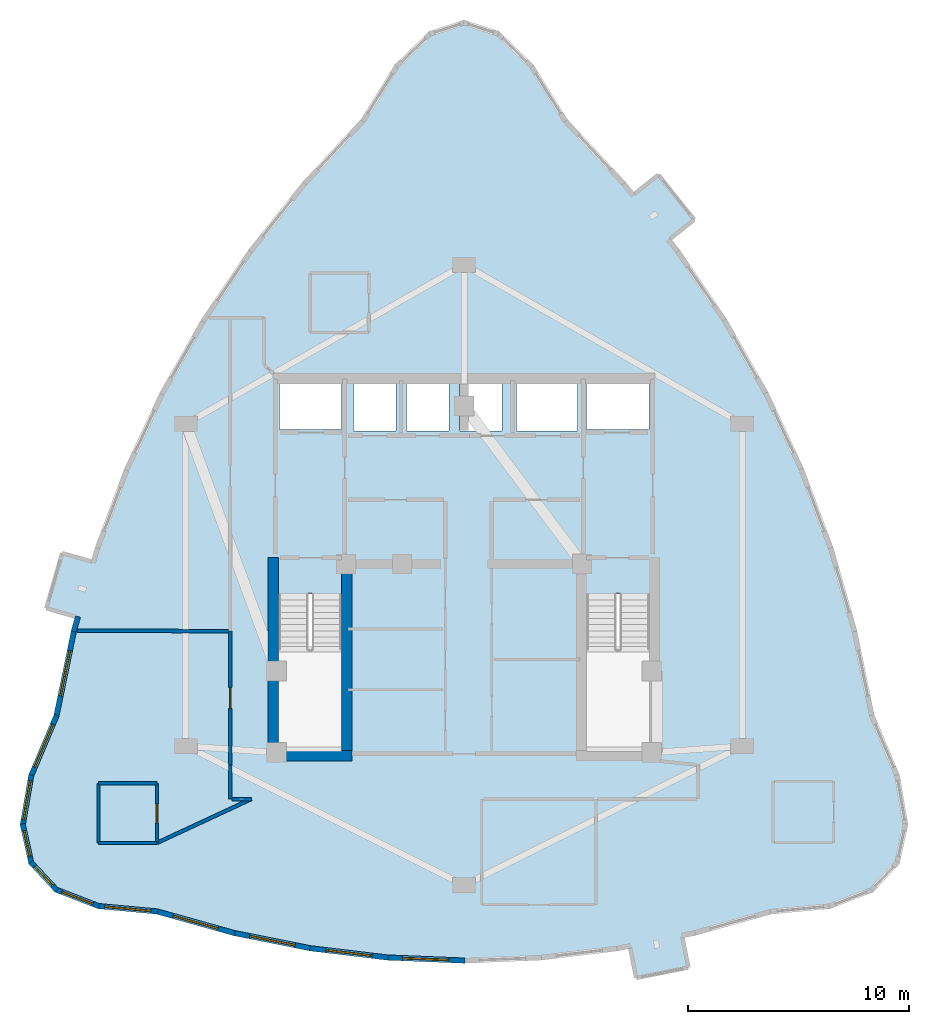
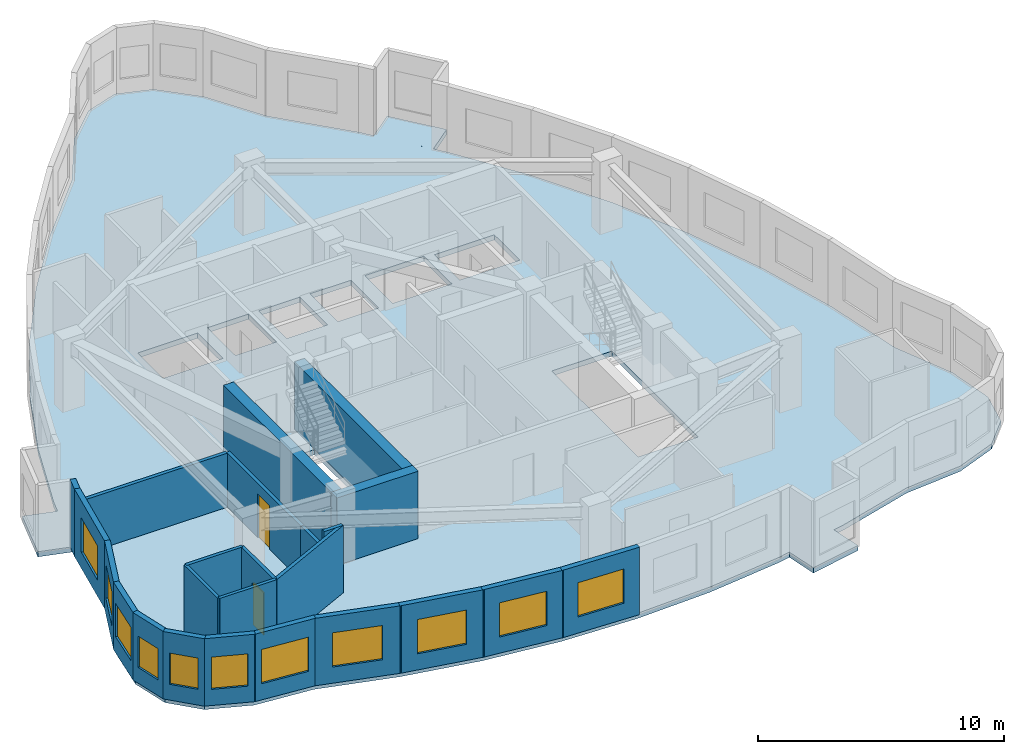
# One storey, part 4 of 9: 24 walls, 11 windows, 2 doors, 1 slab, 13 openings.
"""IFC4 building model written with IfcOpenShell, lengths in metres."""

from ifc_helpers import new_model, si_unit, direction, frame, frame_2d, origin, place, context, subcontext, project, spatial, polyline, rectangle, outline, extrude, material, layer, layer_set, type_object, element, fill, save


model = new_model("IFC4")

# Units and contexts
model_context = context("Model", 3, precision=1e-05, world=origin(), true_north=direction((0.0, 1.0)))
body_context = subcontext(model_context, "Body", "Model", "MODEL_VIEW")
ifc_project = project(units=[si_unit("LENGTHUNIT", "METRE"), si_unit("AREAUNIT", "SQUARE_METRE"), si_unit("VOLUMEUNIT", "CUBIC_METRE"), si_unit("PLANEANGLEUNIT", "RADIAN"), si_unit("MASSUNIT", "GRAM", prefix="KILO")], contexts=[model_context])

# Site, building, storey
site_placement = place(None, origin())
site = spatial("IfcSite", under=ifc_project, at=site_placement, CompositionType="ELEMENT")
building_placement = place(site_placement, origin())
building = spatial("IfcBuilding", under=site, at=building_placement, Name="Miruveldt Soraemaru", CompositionType="ELEMENT")
storey_placement = place(building_placement, frame((0.0, 0.0, 223.199951171875)))
storey = spatial("IfcBuildingStorey", under=building, at=storey_placement, Name="L61", CompositionType="ELEMENT", Elevation=223.199951171875)

# Slab
ifc_material_1 = material(Name="Concrete C40/50 (40 MPa)", Category="concrete")
ifc_layer_1 = layer(ifc_material_1, 0.2548828125, Name="Concrete C40/50 (40 MPa)", Category="concrete")
ifc_layer_set_1 = layer_set([ifc_layer_1], Name="Concrete C40/50 (40 MPa)")
slab_type = type_object("IfcSlabType", Name="SLAB-RES3-255", PredefinedType="FLOOR", material=ifc_layer_set_1)
slab_placement = place(storey_placement, frame((0.0, 0.0, -0.2548828125)))
element("IfcSlab", 1, at=slab_placement, inside=storey, type_object=slab_type, Name="L61 Structural Floor Slab", PredefinedType="FLOOR", context=body_context, shape_type="SweptSolid", body=[
    extrude(outline(polyline([(51.796142578125, 25.2958984375), (51.505859375, 26.747314453125), (50.949951171875, 26.635986328125), (47.47509765625, 26.218994140625), (44.0, 26.080078125), (40.52490234375, 26.218994140625), (37.050048828125, 26.635986328125), (33.574951171875, 27.3310546875), (30.099853515625, 28.303955078125), (27.435302734375, 28.55029296875), (25.53173828125, 29.28857421875), (24.389892578125, 30.519287109375), (24.009033203125, 32.242431640625), (24.389892578125, 34.4580078125), (25.53173828125, 37.16552734375), (26.32568359375, 41.022705078125), (26.857421875, 42.881591796875), (26.499755859375, 41.6318359375), (25.076904296875, 42.038818359375), (25.7919921875, 44.53857421875), (27.21484375, 44.131591796875), (27.388916015625, 44.74072265625), (28.721923828125, 48.31982421875), (30.32470703125, 51.760009765625), (32.197021484375, 55.06103515625), (34.339111328125, 58.22314453125), (36.75048828125, 61.246337890625), (39.431884765625, 64.13037109375), (40.95458984375, 66.591796875), (42.477294921875, 68.06884765625), (44.0, 68.561279296875), (45.522705078125, 68.06884765625), (47.04541015625, 66.591796875), (48.568115234375, 64.13037109375), (51.24951171875, 61.246337890625), (51.64453125, 60.7509765625), (52.801513671875, 61.673828125), (54.4228515625, 59.641357421875), (53.265869140625, 58.718505859375), (52.455078125, 59.734619140625), (53.660888671875, 58.22314453125), (55.802978515625, 55.06103515625), (57.67529296875, 51.760009765625), (59.278076171875, 48.31982421875), (60.611083984375, 44.74072265625), (61.67431640625, 41.022705078125), (62.46826171875, 37.16552734375), (63.610107421875, 34.4580078125), (63.990966796875, 32.242431640625), (63.610107421875, 30.519287109375), (62.46826171875, 29.28857421875), (60.564697265625, 28.55029296875), (57.900146484375, 28.303955078125), (54.425048828125, 27.3310546875), (52.6875, 26.9833984375), (53.869140625, 27.2197265625), (54.159423828125, 25.7685546875), (51.796142578125, 25.2958984375)]), holes=[polyline([(35.614990234375, 35.6650390625), (38.43505859375, 35.6650390625), (38.43505859375, 42.68505859375), (35.614990234375, 42.68505859375), (35.614990234375, 35.6650390625)]), polyline([(49.56494140625, 35.6650390625), (52.385009765625, 35.6650390625), (52.385009765625, 42.68505859375), (49.56494140625, 42.68505859375), (49.56494140625, 35.6650390625)]), polyline([(38.445068359375, 50.135009765625), (38.445068359375, 52.205078125), (35.635009765625, 52.205078125), (35.635009765625, 50.135009765625), (38.445068359375, 50.135009765625)]), polyline([(52.364990234375, 50.135009765625), (52.364990234375, 52.205078125), (49.554931640625, 52.205078125), (49.554931640625, 50.135009765625), (52.364990234375, 50.135009765625)]), polyline([(40.9150390625, 50.06494140625), (40.9150390625, 52.3349609375), (38.985107421875, 52.3349609375), (38.985107421875, 50.06494140625), (40.9150390625, 50.06494140625)]), polyline([(43.31494140625, 50.06494140625), (43.31494140625, 52.3349609375), (41.385009765625, 52.3349609375), (41.385009765625, 50.06494140625), (43.31494140625, 50.06494140625)]), polyline([(45.715087890625, 50.06494140625), (45.715087890625, 52.3349609375), (43.784912109375, 52.3349609375), (43.784912109375, 50.06494140625), (45.715087890625, 50.06494140625)]), polyline([(49.135009765625, 50.06494140625), (49.135009765625, 52.3349609375), (46.364990234375, 52.3349609375), (46.364990234375, 50.06494140625), (49.135009765625, 50.06494140625)])]), origin(), (0.0, 0.0, 1.0), 0.2548828125),
])

# Walls
ifc_material_2 = material(Name="Concrete C60/75 (60 MPa)", Category="concrete")
ifc_layer_2 = layer(ifc_material_2, 0.47998046875, Name="Concrete C60/75 (60 MPa)", Category="concrete")
ifc_layer_set_2 = layer_set([ifc_layer_2], Name="Concrete C60/75 (60 MPa)")
wall_type_1 = type_object("IfcWallType", Name="WALL-CW-480", PredefinedType="SHEAR", material=ifc_layer_set_2)
wall_1_placement = place(storey_placement, frame((35.1201171875, 35.360107421875, 0.0), z_axis=(0.0, 0.0, 1.0), x_axis=(1.0, 0.0, 0.0)))
element("IfcWall", 2, at=wall_1_placement, inside=storey, type_object=wall_type_1, Name="L61 Central Core Shear Wall S1", PredefinedType="SHEAR", context=body_context, shape_type="SweptSolid", body=[
    extrude(rectangle(XDim=3.809814453125, YDim=0.47998046875, at=frame_2d((1.90478515625, 0.0))), origin(), (0.0, 0.0, 1.0), 3.344970703125),
])
wall_2_placement = place(storey_placement, frame((35.360107421875, 35.1201171875, 0.0), z_axis=(0.0, 0.0, 1.0), x_axis=(0.0, 1.0, 0.0)))
element("IfcWall", 3, at=wall_2_placement, inside=storey, type_object=wall_type_1, Name="L61 Central Core Shear Wall W1", PredefinedType="SHEAR", context=body_context, shape_type="SweptSolid", body=[
    extrude(rectangle(XDim=9.22998046875, YDim=0.47998046875, at=frame_2d((4.614990234375, 0.0))), origin(), (0.0, 0.0, 1.0), 3.344970703125),
])
wall_3_placement = place(storey_placement, frame((38.68994140625, 35.39990234375, 0.0), z_axis=(0.0, 0.0, 1.0), x_axis=(0.0, 1.0, 0.0)))
element("IfcWall", 4, at=wall_3_placement, inside=storey, type_object=wall_type_1, Name="L61 Central Core Shear Wall SW-INT", PredefinedType="SHEAR", context=body_context, shape_type="SweptSolid", body=[
    extrude(rectangle(XDim=8.9501953125, YDim=0.47998046875, at=frame_2d((4.47509765625, 0.0))), origin(), (0.0, 0.0, 1.0), 3.344970703125),
])
ifc_material_3 = material(Name="Precast concrete C45/55 (45 MPa)", Category="concrete")
ifc_layer_3 = layer(ifc_material_3, 0.239990234375, Name="Precast concrete C45/55 (45 MPa)", Category="concrete")
ifc_layer_set_3 = layer_set([ifc_layer_3], Name="Precast concrete C45/55 (45 MPa)")
wall_type_2 = type_object("IfcWallType", Name="WALL-EXT-PC240", PredefinedType="SOLIDWALL", material=ifc_layer_set_3)
wall_4_placement = place(storey_placement, frame((26.508056640625, 41.66064453125, 0.0), z_axis=(0.0, 0.0, 1.0), x_axis=(-0.275044220603, -0.961431576719, 0.0)))
element("IfcWall", 5, at=wall_4_placement, inside=storey, type_object=wall_type_2, Name="L61 Precast Pier Wall 13B", PredefinedType="SOLIDWALL", context=body_context, shape_type="SweptSolid", body=[
    extrude(rectangle(XDim=0.698486328125, YDim=0.239990234375, at=frame_2d((0.34912109375, 0.0))), origin(), (0.0, 0.0, 1.0), 3.344970703125),
])

# Wall, opening, window
wall_5_placement = place(storey_placement, frame((26.332763671875, 41.056884765625, 0.0), z_axis=(0.0, 0.0, 1.0), x_axis=(-0.201630576479, -0.979461643266, 0.0)))
wall_5 = element("IfcWall", 6, at=wall_5_placement, inside=storey, type_object=wall_type_2, Name="L61 Precast Concrete Facade Wall 14", PredefinedType="SOLIDWALL", context=body_context, shape_type="SweptSolid", body=[
    extrude(rectangle(XDim=4.0078125, YDim=0.239990234375, at=frame_2d((2.00390625, 0.0))), origin(), (0.0, 0.0, 1.0), 3.344970703125),
])
opening_1_placement = place(wall_5_placement, frame((0.9541015625, 0.0, 0.800048828125)))
opening_1 = element("IfcOpeningElement", 7, at=opening_1_placement, cuts=wall_5, Name="Opening WN-1", PredefinedType="OPENING", context=body_context, shape_type="SweptSolid", body=[
    extrude(rectangle(XDim=2.10009765625, YDim=1.699951171875, at=frame_2d((1.050048828125, 0.85009765625))), frame((0.0, 0.1298828125, 0.0), z_axis=(0.0, -1.0, 0.0), x_axis=(1.0, 0.0, 0.0)), (0.0, 0.0, 1.0), 0.260009765625),
])
ifc_material_4 = material(Name="Triple low-e insulated glazing", Category="glass")
window_type_1 = type_object("IfcWindowType", Name="WIN-PUNCH-2100x1700", PartitioningType="SINGLE_PANEL", PredefinedType="WINDOW", material=ifc_material_4)
window_1_placement = place(opening_1_placement, origin())
window_1 = element("IfcWindow", 8, at=window_1_placement, inside=storey, type_object=window_type_1, Name="L61 Punched Triple-Glazed Window 14.1", OverallHeight=1.699951171875, OverallWidth=2.10009765625, PartitioningType="SINGLE_PANEL", PredefinedType="WINDOW", context=body_context, shape_type="SweptSolid", body=[
    extrude(rectangle(XDim=2.10009765625, YDim=1.699951171875, at=frame_2d((1.050048828125, 0.85009765625))), frame((0.0, 0.030029296875, 0.0), z_axis=(0.0, -1.0, 0.0), x_axis=(1.0, 0.0, 0.0)), (0.0, 0.0, 1.0), 0.06005859375),
])
fill(opening_1, window_1)

wall_6_placement = place(storey_placement, frame((25.54541015625, 37.19775390625, 0.0), z_axis=(0.0, 0.0, 1.0), x_axis=(-0.388633766868, -0.921392313431, 0.0)))
wall_6 = element("IfcWall", 9, at=wall_6_placement, inside=storey, type_object=wall_type_2, Name="L61 Precast Concrete Facade Wall 15", PredefinedType="SOLIDWALL", context=body_context, shape_type="SweptSolid", body=[
    extrude(rectangle(XDim=3.008544921875, YDim=0.239990234375, at=frame_2d((1.50439453125, 0.0))), origin(), (0.0, 0.0, 1.0), 3.344970703125),
])
opening_2_placement = place(wall_6_placement, frame((0.455078125, 0.0, 0.800048828125)))
opening_2 = element("IfcOpeningElement", 10, at=opening_2_placement, cuts=wall_6, Name="Opening WN-1", PredefinedType="OPENING", context=body_context, shape_type="SweptSolid", body=[
    extrude(rectangle(XDim=2.10009765625, YDim=1.699951171875, at=frame_2d((1.050048828125, 0.85009765625))), frame((0.0, 0.1298828125, 0.0), z_axis=(0.0, -1.0, 0.0), x_axis=(1.0, 0.0, 0.0)), (0.0, 0.0, 1.0), 0.260009765625),
])
window_2_placement = place(opening_2_placement, origin())
window_2 = element("IfcWindow", 11, at=window_2_placement, inside=storey, type_object=window_type_1, Name="L61 Punched Triple-Glazed Window 15.1", OverallHeight=1.699951171875, OverallWidth=2.10009765625, PartitioningType="SINGLE_PANEL", PredefinedType="WINDOW", context=body_context, shape_type="SweptSolid", body=[
    extrude(rectangle(XDim=2.10009765625, YDim=1.699951171875, at=frame_2d((1.050048828125, 0.85009765625))), frame((0.0, 0.030029296875, 0.0), z_axis=(0.0, -1.0, 0.0), x_axis=(1.0, 0.0, 0.0)), (0.0, 0.0, 1.0), 0.06005859375),
])
fill(opening_2, window_2)

wall_7_placement = place(storey_placement, frame((24.395751953125, 34.492431640625, 0.0), z_axis=(0.0, 0.0, 1.0), x_axis=(-0.169367237658, -0.985553011668, 0.0)))
wall_7 = element("IfcWall", 12, at=wall_7_placement, inside=storey, type_object=wall_type_2, Name="L61 Precast Concrete Facade Wall 16", PredefinedType="SOLIDWALL", context=body_context, shape_type="SweptSolid", body=[
    extrude(rectangle(XDim=2.31787109375, YDim=0.239990234375, at=frame_2d((1.158935546875, 0.0))), origin(), (0.0, 0.0, 1.0), 3.344970703125),
])
opening_3_placement = place(wall_7_placement, frame((0.259033203125, 0.0, 0.800048828125)))
opening_3 = element("IfcOpeningElement", 13, at=opening_3_placement, cuts=wall_7, Name="Opening WN-2", PredefinedType="OPENING", context=body_context, shape_type="SweptSolid", body=[
    extrude(rectangle(XDim=1.800048828125, YDim=1.64990234375, at=frame_2d((0.89990234375, 0.824951171875))), frame((0.0, 0.1298828125, 0.0), z_axis=(0.0, -1.0, 0.0), x_axis=(1.0, 0.0, 0.0)), (0.0, 0.0, 1.0), 0.260009765625),
])
window_type_2 = type_object("IfcWindowType", Name="WIN-PUNCH-1800x1650", PartitioningType="SINGLE_PANEL", PredefinedType="WINDOW", material=ifc_material_4)
window_3_placement = place(opening_3_placement, origin())
window_3 = element("IfcWindow", 14, at=window_3_placement, inside=storey, type_object=window_type_2, Name="L61 Punched Triple-Glazed Window 16.1", OverallHeight=1.64990234375, OverallWidth=1.800048828125, PartitioningType="SINGLE_PANEL", PredefinedType="WINDOW", context=body_context, shape_type="SweptSolid", body=[
    extrude(rectangle(XDim=1.800048828125, YDim=1.64990234375, at=frame_2d((0.89990234375, 0.824951171875))), frame((0.0, 0.030029296875, 0.0), z_axis=(0.0, -1.0, 0.0), x_axis=(1.0, 0.0, 0.0)), (0.0, 0.0, 1.0), 0.06005859375),
])
fill(opening_3, window_3)

wall_8_placement = place(storey_placement, frame((24.00146484375, 32.276611328125, 0.0), z_axis=(0.0, 0.0, 1.0), x_axis=(0.215831360357, -0.97643065493, 0.0)))
wall_8 = element("IfcWall", 15, at=wall_8_placement, inside=storey, type_object=wall_type_2, Name="L61 Precast Concrete Facade Wall 17", PredefinedType="SOLIDWALL", context=body_context, shape_type="SweptSolid", body=[
    extrude(rectangle(XDim=1.834716796875, YDim=0.239990234375, at=frame_2d((0.91748046875, 0.0))), origin(), (0.0, 0.0, 1.0), 3.344970703125),
])
opening_4_placement = place(wall_8_placement, frame((0.318115234375, 0.0, 0.780029296875)))
opening_4 = element("IfcOpeningElement", 16, at=opening_4_placement, cuts=wall_8, Name="Opening WN-4", PredefinedType="OPENING", context=body_context, shape_type="SweptSolid", body=[
    extrude(rectangle(XDim=1.199951171875, YDim=1.550048828125, at=frame_2d((0.60009765625, 0.77490234375))), frame((0.0, 0.1298828125, 0.0), z_axis=(0.0, -1.0, 0.0), x_axis=(1.0, 0.0, 0.0)), (0.0, 0.0, 1.0), 0.260009765625),
])
window_type_3 = type_object("IfcWindowType", Name="WIN-PUNCH-1200x1550", PartitioningType="SINGLE_PANEL", PredefinedType="WINDOW", material=ifc_material_4)
window_4_placement = place(opening_4_placement, origin())
window_4 = element("IfcWindow", 17, at=window_4_placement, inside=storey, type_object=window_type_3, Name="L61 Punched Triple-Glazed Window 17.1", OverallHeight=1.550048828125, OverallWidth=1.199951171875, PartitioningType="SINGLE_PANEL", PredefinedType="WINDOW", context=body_context, shape_type="SweptSolid", body=[
    extrude(rectangle(XDim=1.199951171875, YDim=1.550048828125, at=frame_2d((0.60009765625, 0.77490234375))), frame((0.0, 0.030029296875, 0.0), z_axis=(0.0, -1.0, 0.0), x_axis=(1.0, 0.0, 0.0)), (0.0, 0.0, 1.0), 0.06005859375),
])
fill(opening_4, window_4)

wall_9_placement = place(storey_placement, frame((24.365966796875, 30.545166015625, 0.0), z_axis=(0.0, 0.0, 1.0), x_axis=(0.680161948571, -0.733061882597, 0.0)))
wall_9 = element("IfcWall", 18, at=wall_9_placement, inside=storey, type_object=wall_type_2, Name="L61 Precast Concrete Facade Wall 18", PredefinedType="SOLIDWALL", context=body_context, shape_type="SweptSolid", body=[
    extrude(rectangle(XDim=1.7490234375, YDim=0.239990234375, at=frame_2d((0.87451171875, 0.0))), origin(), (0.0, 0.0, 1.0), 3.344970703125),
])
opening_5_placement = place(wall_9_placement, frame((0.27392578125, 0.0, 0.780029296875)))
opening_5 = element("IfcOpeningElement", 19, at=opening_5_placement, cuts=wall_9, Name="Opening WN-4", PredefinedType="OPENING", context=body_context, shape_type="SweptSolid", body=[
    extrude(rectangle(XDim=1.199951171875, YDim=1.550048828125, at=frame_2d((0.60009765625, 0.77490234375))), frame((0.0, 0.1298828125, 0.0), z_axis=(0.0, -1.0, 0.0), x_axis=(1.0, 0.0, 0.0)), (0.0, 0.0, 1.0), 0.260009765625),
])
window_5_placement = place(opening_5_placement, origin())
window_5 = element("IfcWindow", 20, at=window_5_placement, inside=storey, type_object=window_type_3, Name="L61 Punched Triple-Glazed Window 18.1", OverallHeight=1.550048828125, OverallWidth=1.199951171875, PartitioningType="SINGLE_PANEL", PredefinedType="WINDOW", context=body_context, shape_type="SweptSolid", body=[
    extrude(rectangle(XDim=1.199951171875, YDim=1.550048828125, at=frame_2d((0.60009765625, 0.77490234375))), frame((0.0, 0.030029296875, 0.0), z_axis=(0.0, -1.0, 0.0), x_axis=(1.0, 0.0, 0.0)), (0.0, 0.0, 1.0), 0.06005859375),
])
fill(opening_5, window_5)

wall_10_placement = place(storey_placement, frame((25.499267578125, 29.30126953125, 0.0), z_axis=(0.0, 0.0, 1.0), x_axis=(0.93230164069, -0.361681698137, 0.0)))
wall_10 = element("IfcWall", 21, at=wall_10_placement, inside=storey, type_object=wall_type_2, Name="L61 Precast Concrete Facade Wall 19", PredefinedType="SOLIDWALL", context=body_context, shape_type="SweptSolid", body=[
    extrude(rectangle(XDim=2.111328125, YDim=0.239990234375, at=frame_2d((1.0556640625, 0.0))), origin(), (0.0, 0.0, 1.0), 3.344970703125),
])
opening_6_placement = place(wall_10_placement, frame((0.305908203125, 0.0, 0.800048828125)))
opening_6 = element("IfcOpeningElement", 22, at=opening_6_placement, cuts=wall_10, Name="Opening WN-3", PredefinedType="OPENING", context=body_context, shape_type="SweptSolid", body=[
    extrude(rectangle(XDim=1.5, YDim=1.60009765625, at=frame_2d((0.75, 0.800048828125))), frame((0.0, 0.1298828125, 0.0), z_axis=(0.0, -1.0, 0.0), x_axis=(1.0, 0.0, 0.0)), (0.0, 0.0, 1.0), 0.260009765625),
])
window_type_4 = type_object("IfcWindowType", Name="WIN-PUNCH-1500x1600", PartitioningType="SINGLE_PANEL", PredefinedType="WINDOW", material=ifc_material_4)
window_6_placement = place(opening_6_placement, origin())
window_6 = element("IfcWindow", 23, at=window_6_placement, inside=storey, type_object=window_type_4, Name="L61 Punched Triple-Glazed Window 19.1", OverallHeight=1.60009765625, OverallWidth=1.5, PartitioningType="SINGLE_PANEL", PredefinedType="WINDOW", context=body_context, shape_type="SweptSolid", body=[
    extrude(rectangle(XDim=1.5, YDim=1.60009765625, at=frame_2d((0.75, 0.800048828125))), frame((0.0, 0.030029296875, 0.0), z_axis=(0.0, -1.0, 0.0), x_axis=(1.0, 0.0, 0.0)), (0.0, 0.0, 1.0), 0.06005859375),
])
fill(opening_6, window_6)

wall_11_placement = place(storey_placement, frame((27.400390625, 28.553466796875, 0.0), z_axis=(0.0, 0.0, 1.0), x_axis=(0.995757284453, -0.092018641911, 0.0)))
wall_11 = element("IfcWall", 24, at=wall_11_placement, inside=storey, type_object=wall_type_2, Name="L61 Precast Concrete Facade Wall 20", PredefinedType="SOLIDWALL", context=body_context, shape_type="SweptSolid", body=[
    extrude(rectangle(XDim=2.74609375, YDim=0.239990234375, at=frame_2d((1.373046875, 0.0))), origin(), (0.0, 0.0, 1.0), 3.344970703125),
])
opening_7_placement = place(wall_11_placement, frame((0.322998046875, 0.0, 0.800048828125)))
opening_7 = element("IfcOpeningElement", 25, at=opening_7_placement, cuts=wall_11, Name="Opening WN-1", PredefinedType="OPENING", context=body_context, shape_type="SweptSolid", body=[
    extrude(rectangle(XDim=2.10009765625, YDim=1.699951171875, at=frame_2d((1.050048828125, 0.85009765625))), frame((0.0, 0.1298828125, 0.0), z_axis=(0.0, -1.0, 0.0), x_axis=(1.0, 0.0, 0.0)), (0.0, 0.0, 1.0), 0.260009765625),
])
window_7_placement = place(opening_7_placement, origin())
window_7 = element("IfcWindow", 26, at=window_7_placement, inside=storey, type_object=window_type_1, Name="L61 Punched Triple-Glazed Window 20.1", OverallHeight=1.699951171875, OverallWidth=2.10009765625, PartitioningType="SINGLE_PANEL", PredefinedType="WINDOW", context=body_context, shape_type="SweptSolid", body=[
    extrude(rectangle(XDim=2.10009765625, YDim=1.699951171875, at=frame_2d((1.050048828125, 0.85009765625))), frame((0.0, 0.030029296875, 0.0), z_axis=(0.0, -1.0, 0.0), x_axis=(1.0, 0.0, 0.0)), (0.0, 0.0, 1.0), 0.06005859375),
])
fill(opening_7, window_7)

wall_12_placement = place(storey_placement, frame((30.066162109375, 28.3134765625, 0.0), z_axis=(0.0, 0.0, 1.0), x_axis=(0.962960573366, -0.269642233603, 0.0)))
wall_12 = element("IfcWall", 27, at=wall_12_placement, inside=storey, type_object=wall_type_2, Name="L61 Precast Concrete Facade Wall 21", PredefinedType="SOLIDWALL", context=body_context, shape_type="SweptSolid", body=[
    extrude(rectangle(XDim=3.6787109375, YDim=0.239990234375, at=frame_2d((1.83935546875, 0.0))), origin(), (0.0, 0.0, 1.0), 3.344970703125),
])
opening_8_placement = place(wall_12_placement, frame((0.7900390625, 0.0, 0.800048828125)))
opening_8 = element("IfcOpeningElement", 28, at=opening_8_placement, cuts=wall_12, Name="Opening WN-1", PredefinedType="OPENING", context=body_context, shape_type="SweptSolid", body=[
    extrude(rectangle(XDim=2.10009765625, YDim=1.699951171875, at=frame_2d((1.050048828125, 0.85009765625))), frame((0.0, 0.1298828125, 0.0), z_axis=(0.0, -1.0, 0.0), x_axis=(1.0, 0.0, 0.0)), (0.0, 0.0, 1.0), 0.260009765625),
])
window_8_placement = place(opening_8_placement, origin())
window_8 = element("IfcWindow", 29, at=window_8_placement, inside=storey, type_object=window_type_1, Name="L61 Punched Triple-Glazed Window 21.1", OverallHeight=1.699951171875, OverallWidth=2.10009765625, PartitioningType="SINGLE_PANEL", PredefinedType="WINDOW", context=body_context, shape_type="SweptSolid", body=[
    extrude(rectangle(XDim=2.10009765625, YDim=1.699951171875, at=frame_2d((1.050048828125, 0.85009765625))), frame((0.0, 0.030029296875, 0.0), z_axis=(0.0, -1.0, 0.0), x_axis=(1.0, 0.0, 0.0)), (0.0, 0.0, 1.0), 0.06005859375),
])
fill(opening_8, window_8)

wall_13_placement = place(storey_placement, frame((33.54052734375, 27.337890625, 0.0), z_axis=(0.0, 0.0, 1.0), x_axis=(0.980580675691, -0.196116135138, 0.0)))
wall_13 = element("IfcWall", 30, at=wall_13_placement, inside=storey, type_object=wall_type_2, Name="L61 Precast Concrete Facade Wall 22", PredefinedType="SOLIDWALL", context=body_context, shape_type="SweptSolid", body=[
    extrude(rectangle(XDim=3.61376953125, YDim=0.239990234375, at=frame_2d((1.806884765625, 0.0))), origin(), (0.0, 0.0, 1.0), 3.344970703125),
])
opening_9_placement = place(wall_13_placement, frame((0.757080078125, 0.0, 0.800048828125)))
opening_9 = element("IfcOpeningElement", 31, at=opening_9_placement, cuts=wall_13, Name="Opening WN-1", PredefinedType="OPENING", context=body_context, shape_type="SweptSolid", body=[
    extrude(rectangle(XDim=2.10009765625, YDim=1.699951171875, at=frame_2d((1.050048828125, 0.85009765625))), frame((0.0, 0.1298828125, 0.0), z_axis=(0.0, -1.0, 0.0), x_axis=(1.0, 0.0, 0.0)), (0.0, 0.0, 1.0), 0.260009765625),
])
window_9_placement = place(opening_9_placement, origin())
window_9 = element("IfcWindow", 32, at=window_9_placement, inside=storey, type_object=window_type_1, Name="L61 Punched Triple-Glazed Window 22.1", OverallHeight=1.699951171875, OverallWidth=2.10009765625, PartitioningType="SINGLE_PANEL", PredefinedType="WINDOW", context=body_context, shape_type="SweptSolid", body=[
    extrude(rectangle(XDim=2.10009765625, YDim=1.699951171875, at=frame_2d((1.050048828125, 0.85009765625))), frame((0.0, 0.030029296875, 0.0), z_axis=(0.0, -1.0, 0.0), x_axis=(1.0, 0.0, 0.0)), (0.0, 0.0, 1.0), 0.06005859375),
])
fill(opening_9, window_9)

wall_14_placement = place(storey_placement, frame((37.01513671875, 26.64013671875, 0.0), z_axis=(0.0, 0.0, 1.0), x_axis=(0.99287910342, -0.119126344663, 0.0)))
wall_14 = element("IfcWall", 33, at=wall_14_placement, inside=storey, type_object=wall_type_2, Name="L61 Precast Concrete Facade Wall 23", PredefinedType="SOLIDWALL", context=body_context, shape_type="SweptSolid", body=[
    extrude(rectangle(XDim=3.570068359375, YDim=0.239990234375, at=frame_2d((1.78515625, 0.0))), origin(), (0.0, 0.0, 1.0), 3.344970703125),
])
opening_10_placement = place(wall_14_placement, frame((0.735107421875, 0.0, 0.800048828125)))
opening_10 = element("IfcOpeningElement", 34, at=opening_10_placement, cuts=wall_14, Name="Opening WN-1", PredefinedType="OPENING", context=body_context, shape_type="SweptSolid", body=[
    extrude(rectangle(XDim=2.10009765625, YDim=1.699951171875, at=frame_2d((1.050048828125, 0.85009765625))), frame((0.0, 0.1298828125, 0.0), z_axis=(0.0, -1.0, 0.0), x_axis=(1.0, 0.0, 0.0)), (0.0, 0.0, 1.0), 0.260009765625),
])
window_10_placement = place(opening_10_placement, origin())
window_10 = element("IfcWindow", 35, at=window_10_placement, inside=storey, type_object=window_type_1, Name="L61 Punched Triple-Glazed Window 23.1", OverallHeight=1.699951171875, OverallWidth=2.10009765625, PartitioningType="SINGLE_PANEL", PredefinedType="WINDOW", context=body_context, shape_type="SweptSolid", body=[
    extrude(rectangle(XDim=2.10009765625, YDim=1.699951171875, at=frame_2d((1.050048828125, 0.85009765625))), frame((0.0, 0.030029296875, 0.0), z_axis=(0.0, -1.0, 0.0), x_axis=(1.0, 0.0, 0.0)), (0.0, 0.0, 1.0), 0.06005859375),
])
fill(opening_10, window_10)

wall_15_placement = place(storey_placement, frame((40.489990234375, 26.220458984375, 0.0), z_axis=(0.0, 0.0, 1.0), x_axis=(0.999200408983, -0.03998177945, 0.0)))
wall_15 = element("IfcWall", 36, at=wall_15_placement, inside=storey, type_object=wall_type_2, Name="L61 Precast Concrete Facade Wall 24", PredefinedType="SOLIDWALL", context=body_context, shape_type="SweptSolid", body=[
    extrude(rectangle(XDim=3.5478515625, YDim=0.239990234375, at=frame_2d((1.77392578125, 0.0))), origin(), (0.0, 0.0, 1.0), 3.344970703125),
])
opening_11_placement = place(wall_15_placement, frame((0.72412109375, 0.0, 0.800048828125)))
opening_11 = element("IfcOpeningElement", 37, at=opening_11_placement, cuts=wall_15, Name="Opening WN-1", PredefinedType="OPENING", context=body_context, shape_type="SweptSolid", body=[
    extrude(rectangle(XDim=2.10009765625, YDim=1.699951171875, at=frame_2d((1.050048828125, 0.85009765625))), frame((0.0, 0.1298828125, 0.0), z_axis=(0.0, -1.0, 0.0), x_axis=(1.0, 0.0, 0.0)), (0.0, 0.0, 1.0), 0.260009765625),
])
window_11_placement = place(opening_11_placement, origin())
window_11 = element("IfcWindow", 38, at=window_11_placement, inside=storey, type_object=window_type_1, Name="L61 Punched Triple-Glazed Window 24.1", OverallHeight=1.699951171875, OverallWidth=2.10009765625, PartitioningType="SINGLE_PANEL", PredefinedType="WINDOW", context=body_context, shape_type="SweptSolid", body=[
    extrude(rectangle(XDim=2.10009765625, YDim=1.699951171875, at=frame_2d((1.050048828125, 0.85009765625))), frame((0.0, 0.030029296875, 0.0), z_axis=(0.0, -1.0, 0.0), x_axis=(1.0, 0.0, 0.0)), (0.0, 0.0, 1.0), 0.06005859375),
])
fill(opening_11, window_11)

# Wall, opening, door
ifc_material_5 = material(Name="Gypsum plasterboard lining", Category="gypsum")
ifc_layer_4 = layer(ifc_material_5, 0.14990234375, Name="Gypsum plasterboard lining", Category="gypsum")
ifc_layer_set_4 = layer_set([ifc_layer_4], Name="Gypsum plasterboard lining")
wall_type_3 = type_object("IfcWallType", Name="WALL-INT-PLUMB", PredefinedType="PLUMBINGWALL", material=ifc_layer_set_4)
wall_16_placement = place(storey_placement, frame((30.089111328125, 31.412109375, 0.0), z_axis=(0.0, 0.0, 1.0), x_axis=(0.0, 1.0, 0.0)))
wall_16 = element("IfcWall", 39, at=wall_16_placement, inside=storey, type_object=wall_type_3, Name="L61 Partition Wall 16", PredefinedType="PLUMBINGWALL", context=body_context, shape_type="SweptSolid", body=[
    extrude(rectangle(XDim=2.699951171875, YDim=0.14990234375, at=frame_2d((1.35009765625, 0.0))), origin(), (0.0, 0.0, 1.0), 3.344970703125),
])
opening_12_placement = place(wall_16_placement, frame((0.909912109375, 0.0, 0.0)))
opening_12 = element("IfcOpeningElement", 40, at=opening_12_placement, cuts=wall_16, Name="Opening FD3", PredefinedType="OPENING", context=body_context, shape_type="SweptSolid", body=[
    extrude(rectangle(XDim=0.85009765625, YDim=2.10009765625, at=frame_2d((0.425048828125, 1.050048828125))), frame((0.0, 0.0849609375, 0.0), z_axis=(0.0, -1.0, 0.0), x_axis=(1.0, 0.0, 0.0)), (0.0, 0.0, 1.0), 0.169921875),
])
ifc_material_6 = material(Name="Anodised aluminium EN AW-6063 T6", Category="aluminium")
door_type_1 = type_object("IfcDoorType", Name="DOOR-FD3-850", OperationType="NOTDEFINED", PredefinedType="DOOR", material=ifc_material_6)
door_1_placement = place(opening_12_placement, origin())
door_1 = element("IfcDoor", 41, at=door_1_placement, inside=storey, type_object=door_type_1, Name="L61 Unit CL02 BTH Door", OperationType="SINGLE_SWING_RIGHT", OverallHeight=2.10009765625, OverallWidth=0.85009765625, PredefinedType="DOOR", context=body_context, shape_type="SweptSolid", body=[
    extrude(rectangle(XDim=0.85009765625, YDim=2.10009765625, at=frame_2d((0.425048828125, 1.050048828125))), frame((0.0, 0.02490234375, 0.0), z_axis=(0.0, -1.0, 0.0), x_axis=(1.0, 0.0, 0.0)), (0.0, 0.0, 1.0), 0.050048828125),
])
fill(opening_12, door_1)

# Walls
wall_17_placement = place(storey_placement, frame((27.43896484375, 34.112060546875, 0.0), z_axis=(0.0, 0.0, 1.0), x_axis=(0.0, -1.0, 0.0)))
element("IfcWall", 42, at=wall_17_placement, inside=storey, type_object=wall_type_3, Name="L61 Partition Wall 24", PredefinedType="PLUMBINGWALL", context=body_context, shape_type="SweptSolid", body=[
    extrude(rectangle(XDim=2.699951171875, YDim=0.14990234375, at=frame_2d((1.35009765625, 0.0))), origin(), (0.0, 0.0, 1.0), 3.344970703125),
])
for number, where, z_axis, x_axis, name in (
    (43, (30.089111328125, 34.112060546875, 0.0), (0.0, 0.0, 1.0), (-1.0, 0.0, 0.0), "L61 Partition Wall 23"),
    (44, (27.43896484375, 31.412109375, 0.0), (0.0, 0.0, 1.0), (1.0, 0.0, 0.0), "L61 Partition Wall 25"),
):
    element("IfcWall", number, at=place(storey_placement, frame(where, z_axis=z_axis, x_axis=x_axis)), inside=storey, type_object=wall_type_3, Name=name, PredefinedType="PLUMBINGWALL", context=body_context, shape_type="SweptSolid", body=[
        extrude(rectangle(XDim=2.650146484375, YDim=0.14990234375, at=frame_2d((1.3251953125, 0.0))), origin(), (0.0, 0.0, 1.0), 3.344970703125),
    ])

# Wall, opening, door
ifc_layer_5 = layer(ifc_material_1, 0.159912109375, Name="Concrete C40/50 (40 MPa)", Category="concrete")
ifc_layer_set_5 = layer_set([ifc_layer_5], Name="Concrete C40/50 (40 MPa)")
wall_type_4 = type_object("IfcWallType", Name="WALL-INT-RC160", PredefinedType="SOLIDWALL", material=ifc_layer_set_5)
wall_18_placement = place(storey_placement, frame((33.39990234375, 41.0, 0.0), z_axis=(0.0, 0.0, 1.0), x_axis=(0.0, -1.0, 0.0)))
wall_18 = element("IfcWall", 45, at=wall_18_placement, inside=storey, type_object=wall_type_4, Name="L61 Partition Wall 4", PredefinedType="SOLIDWALL", context=body_context, shape_type="SweptSolid", body=[
    extrude(rectangle(XDim=6.050048828125, YDim=0.159912109375, at=frame_2d((3.02490234375, 0.0))), origin(), (0.0, 0.0, 1.0), 2.68310546875),
])
opening_13_placement = place(wall_18_placement, frame((2.550048828125, 0.0, 0.0)))
opening_13 = element("IfcOpeningElement", 46, at=opening_13_placement, cuts=wall_18, Name="Opening FD2", PredefinedType="OPENING", context=body_context, shape_type="SweptSolid", body=[
    extrude(rectangle(XDim=0.949951171875, YDim=2.14990234375, at=frame_2d((0.47509765625, 1.074951171875))), frame((0.0, 0.08984375, 0.0), z_axis=(0.0, -1.0, 0.0), x_axis=(1.0, 0.0, 0.0)), (0.0, 0.0, 1.0), 0.179931640625),
])
door_type_2 = type_object("IfcDoorType", Name="DOOR-FD2-950", OperationType="NOTDEFINED", PredefinedType="DOOR", material=ifc_material_6)
door_2_placement = place(opening_13_placement, origin())
door_2 = element("IfcDoor", 47, at=door_2_placement, inside=storey, type_object=door_type_2, Name="L61 Unit CL02 Entrance Fire Door", OperationType="SINGLE_SWING_LEFT", OverallHeight=2.14990234375, OverallWidth=0.949951171875, PredefinedType="DOOR", context=body_context, shape_type="SweptSolid", body=[
    extrude(rectangle(XDim=0.949951171875, YDim=2.14990234375, at=frame_2d((0.47509765625, 1.074951171875))), frame((0.0, 0.02490234375, 0.0), z_axis=(0.0, -1.0, 0.0), x_axis=(1.0, 0.0, 0.0)), (0.0, 0.0, 1.0), 0.050048828125),
])
fill(opening_13, door_2)

# Walls
wall_19_placement = place(storey_placement, frame((26.461181640625, 41.03076171875, 0.0), z_axis=(0.0, 0.0, 1.0), x_axis=(0.999989942793, -0.004484898298, 0.0)))
element("IfcWall", 48, at=wall_19_placement, inside=storey, type_object=wall_type_4, Name="L61 Partition Wall 15", PredefinedType="SOLIDWALL", context=body_context, shape_type="SweptSolid", body=[
    extrude(rectangle(XDim=6.85888671875, YDim=0.159912109375, at=frame_2d((3.429443359375, 0.0))), origin(), (0.0, 0.0, 1.0), 2.68310546875),
])
wall_20_placement = place(storey_placement, frame((34.363037109375, 33.39990234375, 0.0), z_axis=(0.0, 0.0, 1.0), x_axis=(-0.906727560279, -0.421716885399, 0.0)))
element("IfcWall", 49, at=wall_20_placement, inside=storey, type_object=wall_type_4, Name="L61 Partition Closure Return 2", PredefinedType="SOLIDWALL", context=body_context, shape_type="SweptSolid", body=[
    extrude(rectangle(XDim=4.713623046875, YDim=0.159912109375, at=frame_2d((2.35693359375, 0.0))), origin(), (0.0, 0.0, 1.0), 3.344970703125),
])
wall_21_placement = place(storey_placement, frame((33.39990234375, 34.949951171875, 0.0), z_axis=(0.0, 0.0, 1.0), x_axis=(0.0, -1.0, 0.0)))
element("IfcWall", 50, at=wall_21_placement, inside=storey, type_object=wall_type_4, Name="L61 Partition Wall 5", PredefinedType="SOLIDWALL", context=body_context, shape_type="SweptSolid", body=[
    extrude(rectangle(XDim=1.550048828125, YDim=0.159912109375, at=frame_2d((0.77490234375, 0.0))), origin(), (0.0, 0.0, 1.0), 2.68310546875),
])
wall_22_placement = place(storey_placement, frame((33.47998046875, 33.39990234375, 0.0), z_axis=(0.0, 0.0, 1.0), x_axis=(1.0, 0.0, 0.0)))
element("IfcWall", 51, at=wall_22_placement, inside=storey, type_object=wall_type_4, Name="L61 Partition Wall 6", PredefinedType="SOLIDWALL", context=body_context, shape_type="SweptSolid", body=[
    extrude(rectangle(XDim=0.883056640625, YDim=0.159912109375, at=frame_2d((0.44140625, 0.0))), origin(), (0.0, 0.0, 1.0), 3.344970703125),
])

save(model, "model.ifc")
